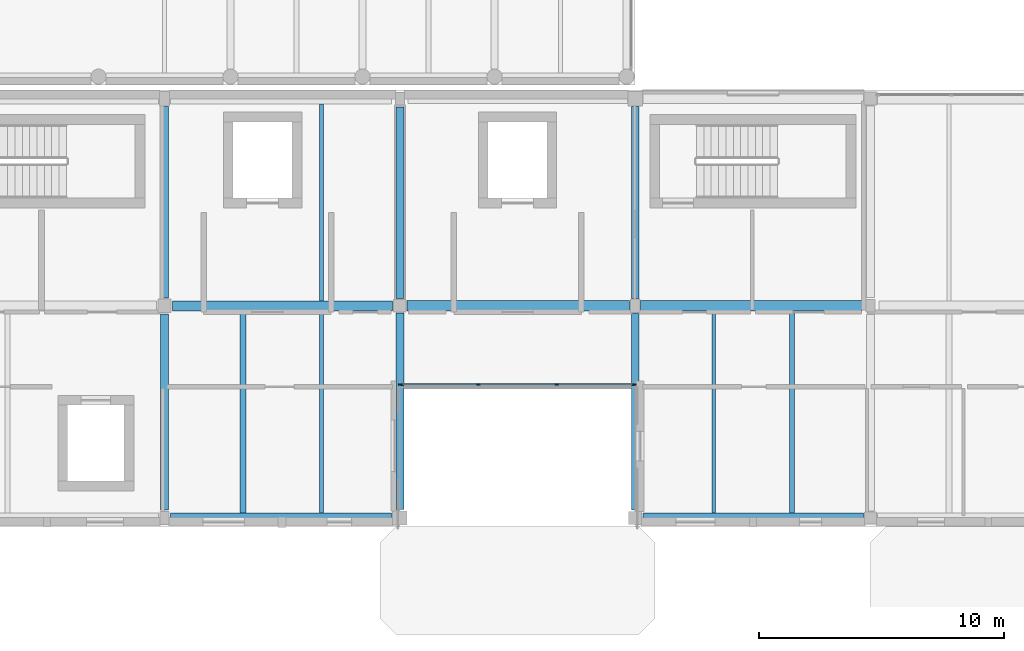
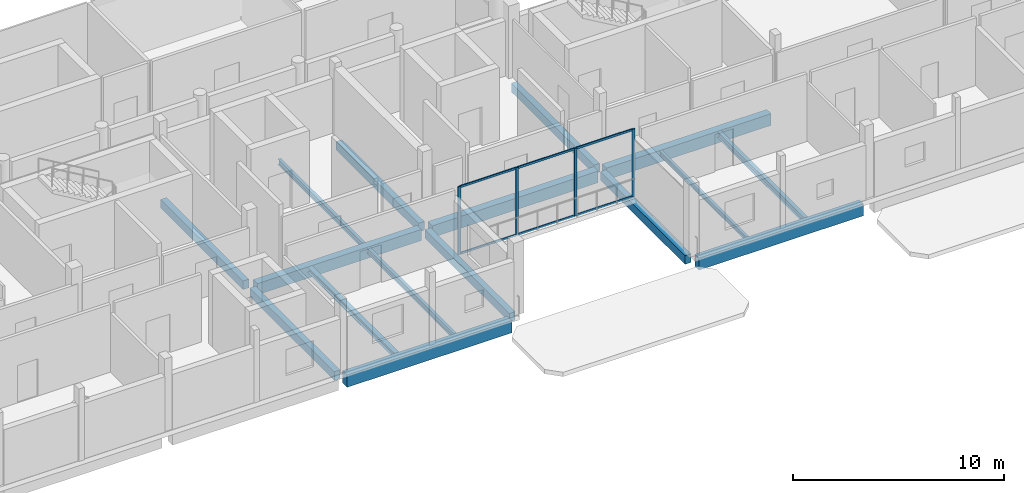
# One storey, part 12 of 66: 16 beams, 10 members, 1 element without a shape of its own.
"""IFC4 building model written with IfcOpenShell, lengths in metres."""

from ifc_helpers import new_model, si_unit, direction, frame, origin, origin_2d, place, context, subcontext, project, spatial, rectangle, i_section, extrude, material, layer, layer_set, material_profile, profile_set, type_object, element, aggregate, save


model = new_model("IFC4")

# Units and contexts
model_context = context("Model", 3, precision=1e-05, world=origin(), true_north=direction((0.0, 1.0)))
body_context = subcontext(model_context, "Body", "Model", "MODEL_VIEW")
ifc_project = project(units=[si_unit("LENGTHUNIT", "METRE"), si_unit("AREAUNIT", "SQUARE_METRE"), si_unit("VOLUMEUNIT", "CUBIC_METRE"), si_unit("PLANEANGLEUNIT", "RADIAN"), si_unit("MASSUNIT", "GRAM", prefix="KILO")], contexts=[model_context])

# Site, building, storey
site_placement = place(None, origin())
site = spatial("IfcSite", under=ifc_project, at=site_placement, CompositionType="ELEMENT")
building_placement = place(site_placement, origin())
building = spatial("IfcBuilding", under=site, at=building_placement, Name="Birchvale Park Specialist Clinic", CompositionType="ELEMENT")
storey_placement = place(building_placement, frame((0.0, 0.0, 5.39990234375)))
storey = spatial("IfcBuildingStorey", under=building, at=storey_placement, Name="L01", CompositionType="ELEMENT", Elevation=5.39990234375)

# Beams
ifc_material_1 = material(Name="Concrete C40/50", Category="concrete")
ifc_material_profile_1 = material_profile(ifc_material_1, rectangle(XDim=0.419921875, YDim=0.719970703125, at=origin_2d()), Name="RCB-420x720")
ifc_profile_set_1 = profile_set([ifc_material_profile_1], Name="Concrete C40/50")
beam_type_1 = type_object("IfcBeamType", Name="BM-EXT-BG3", PredefinedType="BEAM", material=ifc_profile_set_1)
beam_1_placement = place(storey_placement, frame((71.235107421875, 17.14990234375, -0.639892578125), z_axis=(1.0, 0.0, 0.0), x_axis=(0.0, 1.0, 0.0)))
element("IfcBeam", 1, at=beam_1_placement, inside=storey, type_object=beam_type_1, Name="V4 L01 X girder 3", PredefinedType="BEAM", context=body_context, shape_type="SweptSolid", body=[
    extrude(rectangle(XDim=0.419921875, YDim=0.719970703125, at=origin_2d()), origin(), (0.0, 0.0, 1.0), 9.02490234375),
])
ifc_material_profile_2 = material_profile(ifc_material_1, rectangle(XDim=0.39990234375, YDim=0.68994140625, at=origin_2d()), Name="RCB-400x690")
ifc_profile_set_2 = profile_set([ifc_material_profile_2], Name="Concrete C40/50")
beam_type_2 = type_object("IfcBeamType", Name="BM-EXT-BG4", PredefinedType="BEAM", material=ifc_profile_set_2)
beam_2_placement = place(storey_placement, frame((90.514892578125, 17.14990234375, -0.625), z_axis=(1.0, 0.0, 0.0), x_axis=(0.0, 1.0, 0.0)))
element("IfcBeam", 2, at=beam_2_placement, inside=storey, type_object=beam_type_2, Name="V4 L01 X girder 4", PredefinedType="BEAM", context=body_context, shape_type="SweptSolid", body=[
    extrude(rectangle(XDim=0.39990234375, YDim=0.68994140625, at=origin_2d()), origin(), (0.0, 0.0, 1.0), 8.9951171875),
])
ifc_material_profile_3 = material_profile(ifc_material_1, rectangle(XDim=0.419921875, YDim=0.679931640625, at=origin_2d()), Name="RCB-420x680")
ifc_profile_set_3 = profile_set([ifc_material_profile_3], Name="Concrete C40/50")
beam_type_3 = type_object("IfcBeamType", Name="BM-INT-BG3", PredefinedType="BEAM", material=ifc_profile_set_3)
beam_3_placement = place(storey_placement, frame((80.89990234375, 25.800048828125, -0.619873046875), z_axis=(1.0, 0.0, 0.0), x_axis=(0.0, 1.0, 0.0)))
element("IfcBeam", 3, at=beam_3_placement, inside=storey, type_object=beam_type_3, Name="V4 L01 X girder 10", PredefinedType="BEAM", context=body_context, shape_type="SweptSolid", body=[
    extrude(rectangle(XDim=0.419921875, YDim=0.679931640625, at=origin_2d()), origin(), (0.0, 0.0, 1.0), 9.0751953125),
])
beam_4_placement = place(storey_placement, frame((90.425048828125, 25.800048828125, -0.619873046875), z_axis=(1.0, 0.0, 0.0), x_axis=(0.0, 1.0, 0.0)))
element("IfcBeam", 4, at=beam_4_placement, inside=storey, type_object=beam_type_3, Name="V4 L01 X girder 11", PredefinedType="BEAM", context=body_context, shape_type="SweptSolid", body=[
    extrude(rectangle(XDim=0.419921875, YDim=0.679931640625, at=origin_2d()), origin(), (0.0, 0.0, 1.0), 9.02490234375),
])
ifc_material_profile_4 = material_profile(ifc_material_1, rectangle(XDim=0.39990234375, YDim=0.64990234375, at=origin_2d()), Name="RCB-400x650")
ifc_profile_set_4 = profile_set([ifc_material_profile_4], Name="Concrete C40/50")
beam_type_4 = type_object("IfcBeamType", Name="BM-INT-BG4", PredefinedType="BEAM", material=ifc_profile_set_4)
beam_5_placement = place(storey_placement, frame((71.324951171875, 25.800048828125, -0.60498046875), z_axis=(1.0, 0.0, 0.0), x_axis=(0.0, 1.0, 0.0)))
element("IfcBeam", 5, at=beam_5_placement, inside=storey, type_object=beam_type_4, Name="V4 L01 X girder 9", PredefinedType="BEAM", context=body_context, shape_type="SweptSolid", body=[
    extrude(rectangle(XDim=0.39990234375, YDim=0.64990234375, at=origin_2d()), origin(), (0.0, 0.0, 1.0), 8.97509765625),
])
ifc_material_profile_5 = material_profile(ifc_material_1, rectangle(XDim=0.320068359375, YDim=0.5, at=origin_2d()), Name="RCB-320x500")
ifc_profile_set_5 = profile_set([ifc_material_profile_5], Name="Concrete C40/50")
beam_type_5 = type_object("IfcBeamType", Name="BM-INT-BG7", PredefinedType="BEAM", material=ifc_profile_set_5)
beam_6_placement = place(storey_placement, frame((71.0, 17.465087890625, -0.52978515625), z_axis=(0.0, 1.0, 0.0), x_axis=(-1.0, 0.0, 0.0)))
element("IfcBeam", 6, at=beam_6_placement, inside=storey, type_object=beam_type_5, Name="V4 L01 Y girder 25", PredefinedType="BEAM", context=body_context, shape_type="SweptSolid", body=[
    extrude(rectangle(XDim=0.320068359375, YDim=0.5, at=origin_2d()), origin(), (0.0, 0.0, 1.0), 8.010009765625),
])
beam_7_placement = place(storey_placement, frame((71.0, 26.125, -0.52978515625), z_axis=(0.0, 1.0, 0.0), x_axis=(-1.0, 0.0, 0.0)))
element("IfcBeam", 7, at=beam_7_placement, inside=storey, type_object=beam_type_5, Name="V4 L01 Y girder 26", PredefinedType="BEAM", context=body_context, shape_type="SweptSolid", body=[
    extrude(rectangle(XDim=0.320068359375, YDim=0.5, at=origin_2d()), origin(), (0.0, 0.0, 1.0), 7.81005859375),
])
beam_8_placement = place(storey_placement, frame((80.60009765625, 17.489990234375, -0.52978515625), z_axis=(0.0, 1.0, 0.0), x_axis=(-1.0, 0.0, 0.0)))
element("IfcBeam", 8, at=beam_8_placement, inside=storey, type_object=beam_type_5, Name="V4 L01 Y girder 27", PredefinedType="BEAM", context=body_context, shape_type="SweptSolid", body=[
    extrude(rectangle(XDim=0.320068359375, YDim=0.5, at=origin_2d()), origin(), (0.0, 0.0, 1.0), 8.010009765625),
])
beam_9_placement = place(storey_placement, frame((80.60009765625, 26.10009765625, -0.52978515625), z_axis=(0.0, 1.0, 0.0), x_axis=(-1.0, 0.0, 0.0)))
element("IfcBeam", 9, at=beam_9_placement, inside=storey, type_object=beam_type_5, Name="V4 L01 Y girder 28", PredefinedType="BEAM", context=body_context, shape_type="SweptSolid", body=[
    extrude(rectangle(XDim=0.320068359375, YDim=0.5, at=origin_2d()), origin(), (0.0, 0.0, 1.0), 7.809814453125),
])
beam_10_placement = place(storey_placement, frame((90.199951171875, 17.465087890625, -0.52978515625), z_axis=(0.0, 1.0, 0.0), x_axis=(-1.0, 0.0, 0.0)))
element("IfcBeam", 10, at=beam_10_placement, inside=storey, type_object=beam_type_5, Name="V4 L01 Y girder 29", PredefinedType="BEAM", context=body_context, shape_type="SweptSolid", body=[
    extrude(rectangle(XDim=0.320068359375, YDim=0.5, at=origin_2d()), origin(), (0.0, 0.0, 1.0), 8.034912109375),
])
beam_11_placement = place(storey_placement, frame((90.199951171875, 26.10009765625, -0.52978515625), z_axis=(0.0, 1.0, 0.0), x_axis=(-1.0, 0.0, 0.0)))
element("IfcBeam", 11, at=beam_11_placement, inside=storey, type_object=beam_type_5, Name="V4 L01 Y girder 30", PredefinedType="BEAM", context=body_context, shape_type="SweptSolid", body=[
    extrude(rectangle(XDim=0.320068359375, YDim=0.5, at=origin_2d()), origin(), (0.0, 0.0, 1.0), 7.8349609375),
])

# Curtain wall, members
ifc_material_2 = material(Name="Thermally broken anodised aluminium", Category="aluminium")
ifc_layer = layer(ifc_material_2, 0.179931640625)
ifc_layer_set = layer_set([ifc_layer], Name="Thermally broken anodised aluminium")
curtain_wall_type = type_object("IfcCurtainWallType", Name="CW-U1", PredefinedType="USERDEFINED", material=ifc_layer_set)
curtain_wall_placement = place(storey_placement, origin())
curtain_wall = element("IfcCurtainWall", 12, at=curtain_wall_placement, inside=storey, type_object=curtain_wall_type, Name="V4 L01 glazed curtain wall 87", ObjectType="UNITISED", PredefinedType="USERDEFINED")
ifc_material_profile_6 = material_profile(ifc_material_2, rectangle(XDim=0.06005859375, YDim=0.159912109375, at=origin_2d()), Name="CWM-60x160")
ifc_profile_set_6 = profile_set([ifc_material_profile_6], Name="Thermally broken anodised aluminium")
member_type_1 = type_object("IfcMemberType", Name="CWM1", PredefinedType="MULLION", material=ifc_profile_set_6)
member_1_placement = place(storey_placement, frame((80.6298828125, 22.590087890625, 0.0), z_axis=(0.0, 0.0, 1.0), x_axis=(0.0, 1.0, 0.0)))
member_1 = element("IfcMember", 13, at=member_1_placement, type_object=member_type_1, Name="CW mullion 1", PredefinedType="MULLION", context=body_context, shape_type="SweptSolid", body=[
    extrude(rectangle(XDim=0.06005859375, YDim=0.159912109375, at=origin_2d()), origin(), (0.0, 0.0, 1.0), 3.920166015625),
])
member_2_placement = place(storey_placement, frame((83.800048828125, 22.590087890625, 0.0), z_axis=(0.0, 0.0, 1.0), x_axis=(0.0, 1.0, 0.0)))
member_2 = element("IfcMember", 14, at=member_2_placement, type_object=member_type_1, Name="CW mullion 2", PredefinedType="MULLION", context=body_context, shape_type="SweptSolid", body=[
    extrude(rectangle(XDim=0.06005859375, YDim=0.159912109375, at=origin_2d()), origin(), (0.0, 0.0, 1.0), 3.920166015625),
])
member_3_placement = place(storey_placement, frame((87.0, 22.590087890625, 0.0), z_axis=(0.0, 0.0, 1.0), x_axis=(0.0, 1.0, 0.0)))
member_3 = element("IfcMember", 15, at=member_3_placement, type_object=member_type_1, Name="CW mullion 3", PredefinedType="MULLION", context=body_context, shape_type="SweptSolid", body=[
    extrude(rectangle(XDim=0.06005859375, YDim=0.159912109375, at=origin_2d()), origin(), (0.0, 0.0, 1.0), 3.920166015625),
])
member_4_placement = place(storey_placement, frame((90.169921875, 22.590087890625, 0.0), z_axis=(0.0, 0.0, 1.0), x_axis=(0.0, 1.0, 0.0)))
member_4 = element("IfcMember", 16, at=member_4_placement, type_object=member_type_1, Name="CW mullion 4", PredefinedType="MULLION", context=body_context, shape_type="SweptSolid", body=[
    extrude(rectangle(XDim=0.06005859375, YDim=0.159912109375, at=origin_2d()), origin(), (0.0, 0.0, 1.0), 3.920166015625),
])
ifc_material_profile_7 = material_profile(ifc_material_2, rectangle(XDim=0.06005859375, YDim=0.1201171875, at=origin_2d()), Name="CWT-60x120")
ifc_profile_set_7 = profile_set([ifc_material_profile_7], Name="Thermally broken anodised aluminium")
member_type_2 = type_object("IfcMemberType", Name="CWT1", PredefinedType="USERDEFINED", material=ifc_profile_set_7)
member_5_placement = place(storey_placement, frame((80.659912109375, 22.590087890625, 0.030029296875), z_axis=(1.0, 0.0, 0.0), x_axis=(0.0, 1.0, 0.0)))
member_5 = element("IfcMember", 17, at=member_5_placement, type_object=member_type_2, Name="CW transom 1.1", ObjectType="TRANSOM", PredefinedType="USERDEFINED", context=body_context, shape_type="SweptSolid", body=[
    extrude(rectangle(XDim=0.06005859375, YDim=0.1201171875, at=origin_2d()), origin(), (0.0, 0.0, 1.0), 3.110107421875),
])
member_6_placement = place(storey_placement, frame((80.659912109375, 22.590087890625, 3.89013671875), z_axis=(1.0, 0.0, 0.0), x_axis=(0.0, 1.0, 0.0)))
member_6 = element("IfcMember", 18, at=member_6_placement, type_object=member_type_2, Name="CW transom 1.2", ObjectType="TRANSOM", PredefinedType="USERDEFINED", context=body_context, shape_type="SweptSolid", body=[
    extrude(rectangle(XDim=0.06005859375, YDim=0.1201171875, at=origin_2d()), origin(), (0.0, 0.0, 1.0), 3.110107421875),
])
member_7_placement = place(storey_placement, frame((83.830078125, 22.590087890625, 0.030029296875), z_axis=(1.0, 0.0, 0.0), x_axis=(0.0, 1.0, 0.0)))
member_7 = element("IfcMember", 19, at=member_7_placement, type_object=member_type_2, Name="CW transom 2.1", ObjectType="TRANSOM", PredefinedType="USERDEFINED", context=body_context, shape_type="SweptSolid", body=[
    extrude(rectangle(XDim=0.06005859375, YDim=0.1201171875, at=origin_2d()), origin(), (0.0, 0.0, 1.0), 3.139892578125),
])
member_8_placement = place(storey_placement, frame((83.830078125, 22.590087890625, 3.89013671875), z_axis=(1.0, 0.0, 0.0), x_axis=(0.0, 1.0, 0.0)))
member_8 = element("IfcMember", 20, at=member_8_placement, type_object=member_type_2, Name="CW transom 2.2", ObjectType="TRANSOM", PredefinedType="USERDEFINED", context=body_context, shape_type="SweptSolid", body=[
    extrude(rectangle(XDim=0.06005859375, YDim=0.1201171875, at=origin_2d()), origin(), (0.0, 0.0, 1.0), 3.139892578125),
])
member_9_placement = place(storey_placement, frame((87.030029296875, 22.590087890625, 0.030029296875), z_axis=(1.0, 0.0, 0.0), x_axis=(0.0, 1.0, 0.0)))
member_9 = element("IfcMember", 21, at=member_9_placement, type_object=member_type_2, Name="CW transom 3.1", ObjectType="TRANSOM", PredefinedType="USERDEFINED", context=body_context, shape_type="SweptSolid", body=[
    extrude(rectangle(XDim=0.06005859375, YDim=0.1201171875, at=origin_2d()), origin(), (0.0, 0.0, 1.0), 3.10986328125),
])
member_10_placement = place(storey_placement, frame((87.030029296875, 22.590087890625, 3.89013671875), z_axis=(1.0, 0.0, 0.0), x_axis=(0.0, 1.0, 0.0)))
member_10 = element("IfcMember", 22, at=member_10_placement, type_object=member_type_2, Name="CW transom 3.2", ObjectType="TRANSOM", PredefinedType="USERDEFINED", context=body_context, shape_type="SweptSolid", body=[
    extrude(rectangle(XDim=0.06005859375, YDim=0.1201171875, at=origin_2d()), origin(), (0.0, 0.0, 1.0), 3.10986328125),
])
aggregate(curtain_wall, [member_1, member_2, member_3, member_4, member_5, member_6, member_7, member_8, member_9, member_10])

# Beams
ifc_material_3 = material(Name="Steel ASTM A992 Grade 50", Category="steel")
ifc_material_profile_8 = material_profile(ifc_material_3, i_section(OverallWidth=0.2041015625, OverallDepth=0.35107421875, WebThickness=0.008544921875, FlangeThickness=0.01513671875, at=origin_2d()), Name="W14X48")
ifc_profile_set_8 = profile_set([ifc_material_profile_8], Name="Steel ASTM A992 Grade 50")
beam_type_6 = type_object("IfcBeamType", Name="STL-INT-SJ1", PredefinedType="JOIST", material=ifc_profile_set_8)
beam_12_placement = place(storey_placement, frame((96.60009765625, 17.35009765625, -0.455322265625), z_axis=(0.0, 1.0, 0.0), x_axis=(-1.0, 0.0, 0.0)))
element("IfcBeam", 23, at=beam_12_placement, inside=storey, type_object=beam_type_6, Name="V4 L01 secondary floor joist 9", PredefinedType="JOIST", context=body_context, shape_type="SweptSolid", body=[
    extrude(i_section(OverallWidth=0.2041015625, OverallDepth=0.35107421875, WebThickness=0.008544921875, FlangeThickness=0.01513671875, at=origin_2d()), origin(), (0.0, 0.0, 1.0), 8.239990234375),
])
ifc_material_profile_9 = material_profile(ifc_material_3, i_section(OverallWidth=0.25390625, OverallDepth=0.305908203125, WebThickness=0.0087890625, FlangeThickness=0.0146484375, at=origin_2d()), Name="W12X53")
ifc_profile_set_9 = profile_set([ifc_material_profile_9], Name="Steel ASTM A992 Grade 50")
beam_type_7 = type_object("IfcBeamType", Name="STL-INT-SJ2", PredefinedType="JOIST", material=ifc_profile_set_9)
beam_13_placement = place(storey_placement, frame((74.199951171875, 17.360107421875, -0.432861328125), z_axis=(0.0, 1.0, 0.0), x_axis=(-1.0, 0.0, 0.0)))
element("IfcBeam", 24, at=beam_13_placement, inside=storey, type_object=beam_type_7, Name="V4 L01 secondary floor joist 5", PredefinedType="JOIST", context=body_context, shape_type="SweptSolid", body=[
    extrude(i_section(OverallWidth=0.25390625, OverallDepth=0.305908203125, WebThickness=0.0087890625, FlangeThickness=0.0146484375, at=origin_2d()), origin(), (0.0, 0.0, 1.0), 8.239990234375),
])
ifc_material_profile_10 = material_profile(ifc_material_3, i_section(OverallWidth=0.1669921875, OverallDepth=0.31689453125, WebThickness=0.007568359375, FlangeThickness=0.01318359375, at=origin_2d()), Name="W12X35")
ifc_profile_set_10 = profile_set([ifc_material_profile_10], Name="Steel ASTM A992 Grade 50")
beam_type_8 = type_object("IfcBeamType", Name="STL-INT-SJ3", PredefinedType="JOIST", material=ifc_profile_set_10)
beam_14_placement = place(storey_placement, frame((77.39990234375, 17.360107421875, -0.4384765625), z_axis=(0.0, 1.0, 0.0), x_axis=(-1.0, 0.0, 0.0)))
element("IfcBeam", 25, at=beam_14_placement, inside=storey, type_object=beam_type_8, Name="V4 L01 secondary floor joist 6", PredefinedType="JOIST", context=body_context, shape_type="SweptSolid", body=[
    extrude(i_section(OverallWidth=0.1669921875, OverallDepth=0.31689453125, WebThickness=0.007568359375, FlangeThickness=0.01318359375, at=origin_2d()), origin(), (0.0, 0.0, 1.0), 8.239990234375),
])
beam_15_placement = place(storey_placement, frame((77.39990234375, 26.0, -0.4384765625), z_axis=(0.0, 1.0, 0.0), x_axis=(-1.0, 0.0, 0.0)))
element("IfcBeam", 26, at=beam_15_placement, inside=storey, type_object=beam_type_8, Name="V4 L01 secondary floor joist 7", PredefinedType="JOIST", context=body_context, shape_type="SweptSolid", body=[
    extrude(i_section(OverallWidth=0.1669921875, OverallDepth=0.31689453125, WebThickness=0.007568359375, FlangeThickness=0.01318359375, at=origin_2d()), origin(), (0.0, 0.0, 1.0), 8.0400390625),
])
ifc_material_profile_11 = material_profile(ifc_material_3, i_section(OverallWidth=0.14697265625, OverallDepth=0.261962890625, WebThickness=0.006591796875, FlangeThickness=0.01123046875, at=origin_2d()), Name="W10X26")
ifc_profile_set_11 = profile_set([ifc_material_profile_11], Name="Steel ASTM A992 Grade 50")
beam_type_9 = type_object("IfcBeamType", Name="STL-INT-SJ5", PredefinedType="JOIST", material=ifc_profile_set_11)
beam_16_placement = place(storey_placement, frame((93.39990234375, 17.35009765625, -0.410888671875), z_axis=(0.0, 1.0, 0.0), x_axis=(-1.0, 0.0, 0.0)))
element("IfcBeam", 27, at=beam_16_placement, inside=storey, type_object=beam_type_9, Name="V4 L01 secondary floor joist 8", PredefinedType="JOIST", context=body_context, shape_type="SweptSolid", body=[
    extrude(i_section(OverallWidth=0.14697265625, OverallDepth=0.261962890625, WebThickness=0.006591796875, FlangeThickness=0.01123046875, at=origin_2d()), origin(), (0.0, 0.0, 1.0), 8.239990234375),
])

save(model, "model.ifc")
